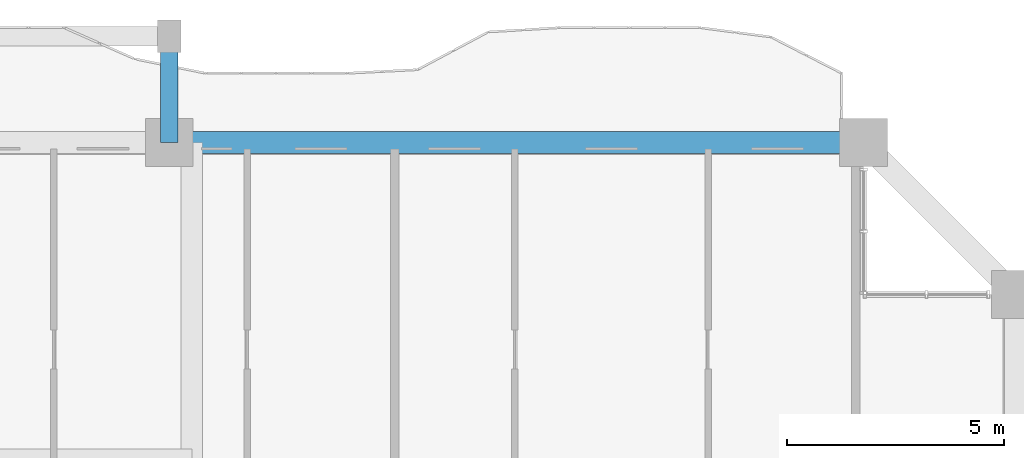
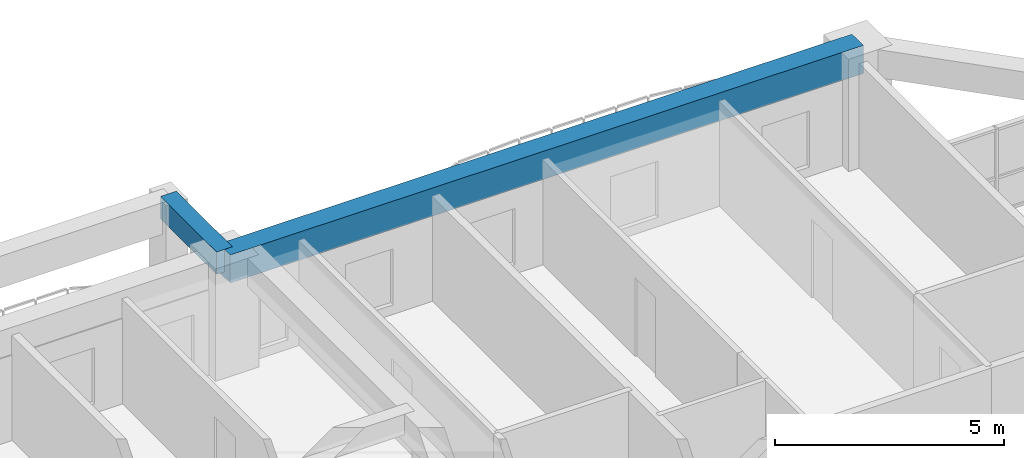
# One storey, part 11 of 27: 2 beams.
"""IFC4 building model written with IfcOpenShell, lengths in metres."""

from ifc_helpers import new_model, si_unit, direction, frame, origin, origin_2d, place, context, subcontext, project, spatial, rectangle, extrude, source, transform, mapped, material, material_profile, profile_set, type_object, element, save


model = new_model("IFC4")

# Units and contexts
model_context = context("Model", 3, precision=1e-05, world=origin(), true_north=direction((0.0, 1.0)))
body_context = subcontext(model_context, "Body", "Model", "MODEL_VIEW")
ifc_project = project(units=[si_unit("LENGTHUNIT", "METRE"), si_unit("AREAUNIT", "SQUARE_METRE"), si_unit("VOLUMEUNIT", "CUBIC_METRE"), si_unit("PLANEANGLEUNIT", "RADIAN"), si_unit("MASSUNIT", "GRAM", prefix="KILO")], contexts=[model_context])

# Site, building, storey
site_placement = place(None, origin())
site = spatial("IfcSite", under=ifc_project, at=site_placement, CompositionType="ELEMENT")
building_placement = place(site_placement, origin())
building = spatial("IfcBuilding", under=site, at=building_placement, Name="Saelheon Loggia Tower", CompositionType="ELEMENT")
storey_placement = place(building_placement, frame((0.0, 0.0, 34.39990234375)))
storey = spatial("IfcBuildingStorey", under=building, at=storey_placement, Name="L10", CompositionType="ELEMENT", Elevation=34.39990234375)

# Beams
ifc_material_1 = material(Name="Concrete C45/55", Category="concrete")
ifc_material_profile_1 = material_profile(ifc_material_1, rectangle(XDim=0.5, YDim=0.75, at=origin_2d()), Name="RC-500x750")
ifc_profile_set_1 = profile_set([ifc_material_profile_1], Name="Concrete C45/55")
beam_type_1 = type_object("IfcBeamType", Name="Beam_PerimGirder_RC500x750", PredefinedType="BEAM", material=ifc_profile_set_1)
shared_shape_1 = source(origin(), body_context, "Body", "SweptSolid", [
    extrude(rectangle(XDim=0.5, YDim=0.75, at=origin_2d()), origin(), (0.0, 0.0, 1.0), 16.0),
])
beam_1_placement = place(storey_placement, frame((60.5, 51.0, 2.625), z_axis=(-1.0, 0.0, 0.0), x_axis=(0.0, -1.0, 0.0)))
element("IfcBeam", 1, at=beam_1_placement, inside=storey, type_object=beam_type_1, Name="L10 Perimeter Frame Girder 09", PredefinedType="BEAM", context=body_context, shape_type="MappedRepresentation", body=[
    mapped(shared_shape_1, transform((0.0, 0.0, 0.0), scale=1.0)),
])
ifc_material_2 = material(Name="Precast Concrete C45/55", Category="concrete")
ifc_material_profile_2 = material_profile(ifc_material_2, rectangle(XDim=0.39990234375, YDim=0.60009765625, at=origin_2d()), Name="RC-400x600")
ifc_profile_set_2 = profile_set([ifc_material_profile_2], Name="Precast Concrete C45/55")
beam_type_2 = type_object("IfcBeamType", Name="Beam_LoggiaTie_RC400x600", PredefinedType="BEAM", material=ifc_profile_set_2)
shared_shape_2 = source(origin(), body_context, "Body", "SweptSolid", [
    extrude(rectangle(XDim=0.39990234375, YDim=0.60009765625, at=origin_2d()), origin(), (0.0, 0.0, 1.0), 2.449951171875),
])
beam_2_placement = place(storey_placement, frame((44.5, 51.0, 2.7001953125), z_axis=(0.0, 1.0, 0.0), x_axis=(-1.0, 0.0, 0.0)))
element("IfcBeam", 2, at=beam_2_placement, inside=storey, type_object=beam_type_2, Name="L10 Loggia Frame Tie Beam LP-N2", PredefinedType="BEAM", context=body_context, shape_type="MappedRepresentation", body=[
    mapped(shared_shape_2, transform((0.0, 0.0, 0.0), scale=1.0)),
])

save(model, "model.ifc")
